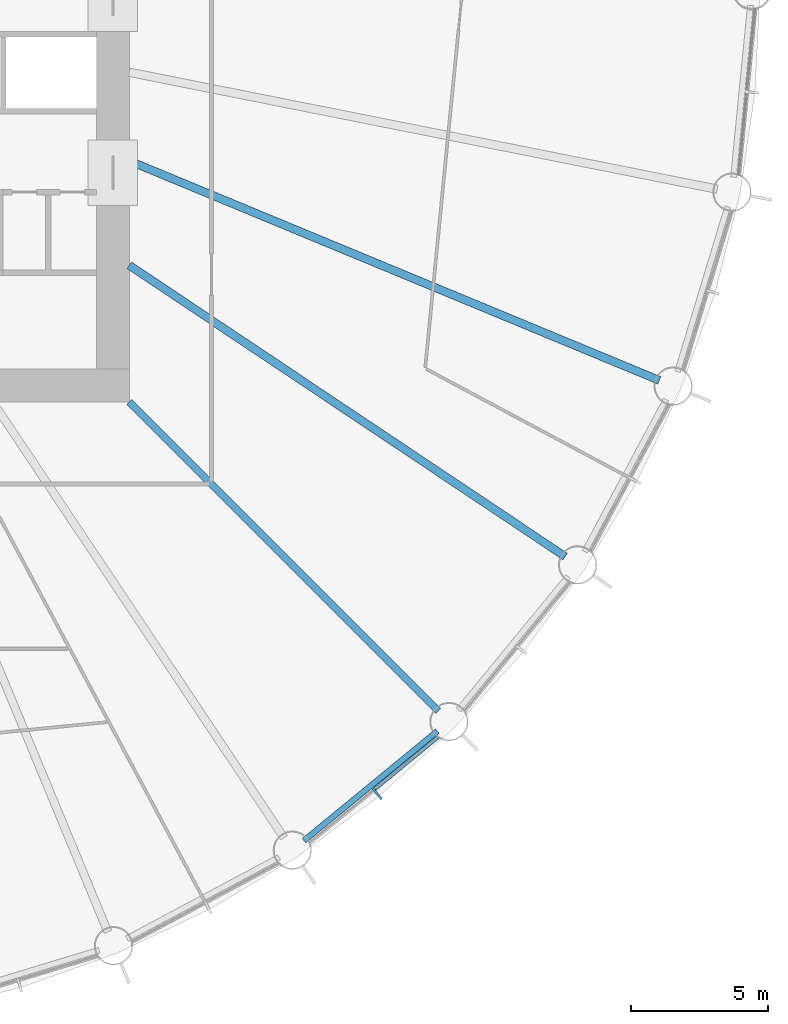
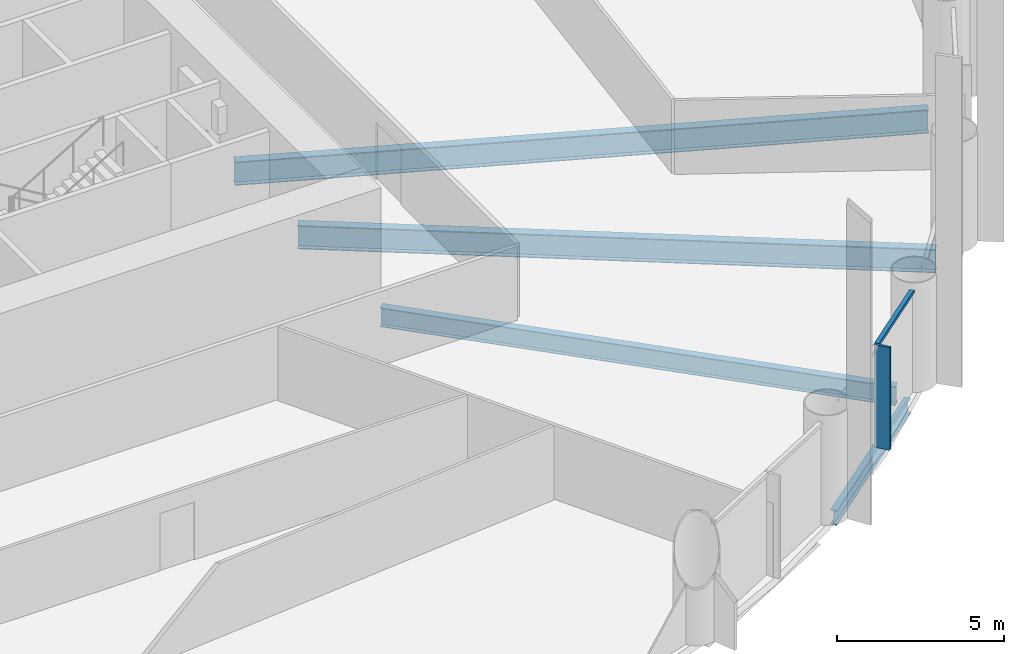
# One storey, part 3 of 14: 4 beams, 2 members, 1 element without a shape of its own.
"""IFC4 building model written with IfcOpenShell, lengths in metres."""

from ifc_helpers import new_model, si_unit, direction, frame, origin, origin_2d, place, context, subcontext, project, spatial, rectangle, i_section, extrude, material, material_profile, profile_set, type_object, element, aggregate, save


model = new_model("IFC4")

# Units and contexts
model_context = context("Model", 3, precision=1e-05, world=origin(), true_north=direction((0.0, 1.0)))
body_context = subcontext(model_context, "Body", "Model", "MODEL_VIEW")
ifc_project = project(units=[si_unit("LENGTHUNIT", "METRE"), si_unit("AREAUNIT", "SQUARE_METRE"), si_unit("VOLUMEUNIT", "CUBIC_METRE"), si_unit("PLANEANGLEUNIT", "RADIAN"), si_unit("MASSUNIT", "GRAM", prefix="KILO")], contexts=[model_context])

# Site, building, storey
site_placement = place(None, origin())
site = spatial("IfcSite", under=ifc_project, at=site_placement, CompositionType="ELEMENT")
building_placement = place(site_placement, origin())
building = spatial("IfcBuilding", under=site, at=building_placement, Name="Corvane Civic Tower", CompositionType="ELEMENT")
storey_placement = place(building_placement, frame((0.0, 0.0, 53.0)))
storey = spatial("IfcBuildingStorey", under=building, at=storey_placement, Name="L11", CompositionType="ELEMENT", Elevation=53.0)

# Beams
ifc_material_1 = material(Name="Steel ASTM A992 Gr 50", Category="steel")
ifc_material_profile_1 = material_profile(ifc_material_1, i_section(OverallWidth=0.209228515625, OverallDepth=0.533447265625, WebThickness=0.01025390625, FlangeThickness=0.015625, at=origin_2d()), Name="W21X62")
ifc_profile_set_1 = profile_set([ifc_material_profile_1], Name="Steel ASTM A992 Gr 50")
beam_type_1 = type_object("IfcBeamType", Name="EDGE BEAM W21X62", PredefinedType="BEAM", material=ifc_profile_set_1)
beam_1_placement = place(storey_placement, frame((26.23291015625, -27.0068359375, -0.566650390625), z_axis=(-0.773015785286, -0.634386787141, 0.0), x_axis=(0.634386787141, -0.773015785286, 0.0)))
element("IfcBeam", 1, at=beam_1_placement, inside=storey, type_object=beam_type_1, Name="BM-L11-E13", PredefinedType="BEAM", context=body_context, shape_type="SweptSolid", body=[
    extrude(i_section(OverallWidth=0.209228515625, OverallDepth=0.533447265625, WebThickness=0.01025390625, FlangeThickness=0.015625, at=origin_2d()), origin(), (0.0, 0.0, 1.0), 6.290771484375),
])
ifc_material_2 = material(Name="Steel ASTM A992 Gr 50", Category="steel")
ifc_material_profile_2 = material_profile(ifc_material_2, i_section(OverallWidth=0.256591796875, OverallDepth=0.693359375, WebThickness=0.014404296875, FlangeThickness=0.023681640625, at=origin_2d()), Name="W27X114")
ifc_profile_set_2 = profile_set([ifc_material_profile_2], Name="Steel ASTM A992 Gr 50")
beam_type_2 = type_object("IfcBeamType", Name="FLOOR GIRDER W27X114", PredefinedType="BEAM", material=ifc_profile_set_2)
beam_2_placement = place(storey_placement, frame((15.0, -15.0, -0.646728515625), z_axis=(0.707106781187, -0.707106781187, 0.0), x_axis=(0.707106781187, 0.707106781187, 0.0)))
element("IfcBeam", 2, at=beam_2_placement, inside=storey, type_object=beam_type_2, Name="BM-L11-G13", PredefinedType="BEAM", context=body_context, shape_type="SweptSolid", body=[
    extrude(i_section(OverallWidth=0.256591796875, OverallDepth=0.693359375, WebThickness=0.014404296875, FlangeThickness=0.023681640625, at=origin_2d()), origin(), (0.0, 0.0, 1.0), 15.936767578125),
])
ifc_material_3 = material(Name="Steel ASTM A992 Gr 50", Category="steel")
ifc_material_profile_3 = material_profile(ifc_material_3, i_section(OverallWidth=0.2919921875, OverallDepth=0.8583984375, WebThickness=0.01708984375, FlangeThickness=0.031005859375, at=origin_2d()), Name="W33X169")
ifc_profile_set_3 = profile_set([ifc_material_profile_3], Name="Steel ASTM A992 Gr 50")
beam_type_3 = type_object("IfcBeamType", Name="FLOOR GIRDER W33X169", PredefinedType="BEAM", material=ifc_profile_set_3)
beam_3_placement = place(storey_placement, frame((15.0, -6.213134765625, -0.729248046875), z_axis=(0.923875834355, -0.382692360381, 0.0), x_axis=(0.382692360381, 0.923875834355, 0.0)))
element("IfcBeam", 3, at=beam_3_placement, inside=storey, type_object=beam_type_3, Name="BM-L11-G11", PredefinedType="BEAM", context=body_context, shape_type="SweptSolid", body=[
    extrude(i_section(OverallWidth=0.2919921875, OverallDepth=0.8583984375, WebThickness=0.01708984375, FlangeThickness=0.031005859375, at=origin_2d()), origin(), (0.0, 0.0, 1.0), 20.9140625),
])
beam_4_placement = place(storey_placement, frame((15.0, -10.022705078125, -0.729248046875), z_axis=(0.831471985418, -0.555566681385, 0.0), x_axis=(0.555566681385, 0.831471985418, 0.0)))
element("IfcBeam", 4, at=beam_4_placement, inside=storey, type_object=beam_type_3, Name="BM-L11-G12", PredefinedType="BEAM", context=body_context, shape_type="SweptSolid", body=[
    extrude(i_section(OverallWidth=0.2919921875, OverallDepth=0.8583984375, WebThickness=0.01708984375, FlangeThickness=0.031005859375, at=origin_2d()), origin(), (0.0, 0.0, 1.0), 19.109619140625),
])

# Curtain wall, members
ifc_material_4 = material(Name="Anodised aluminium bronze", Category="aluminium")
curtain_wall_type = type_object("IfcCurtainWallType", Name="TOWER CW-T1 STICK CURTAIN WALL", PredefinedType="NOTDEFINED", material=ifc_material_4)
curtain_wall_placement = place(storey_placement, origin())
curtain_wall = element("IfcCurtainWall", 5, at=curtain_wall_placement, inside=storey, type_object=curtain_wall_type, Name="Curtain wall CW-T1 L11 bay 13", PredefinedType="NOTDEFINED")
ifc_material_5 = material(Name="Anodised aluminium bronze", Category="aluminium")
ifc_material_profile_4 = material_profile(ifc_material_5, rectangle(XDim=0.139892578125, YDim=0.1201171875, at=origin_2d()), Name="TOWER CW-T1 TRANSOM 140x120")
ifc_profile_set_4 = profile_set([ifc_material_profile_4], Name="Anodised aluminium bronze")
member_type_1 = type_object("IfcMemberType", Name="TOWER CW-T1 TRANSOM 140x120", PredefinedType="USERDEFINED", material=ifc_profile_set_4)
member_1_placement = place(storey_placement, frame((26.271728515625, -27.20654296875, 3.68994140625), z_axis=(-0.773001943873, -0.634403652865, 0.0), x_axis=(0.634403652865, -0.773001943873, 0.0)))
member_1 = element("IfcMember", 6, at=member_1_placement, type_object=member_type_1, Name="Transom CW-T1 L11 13.1", ObjectType="TRANSOM", PredefinedType="USERDEFINED", context=body_context, shape_type="SweptSolid", body=[
    extrude(rectangle(XDim=0.139892578125, YDim=0.1201171875, at=origin_2d()), origin(), (0.0, 0.0, 1.0), 3.008544921875),
])
ifc_material_6 = material(Name="Anodised aluminium bronze", Category="aluminium")
ifc_material_profile_5 = material_profile(ifc_material_6, rectangle(XDim=0.080078125, YDim=0.5, at=origin_2d()), Name="TOWER FIN MULLION 80x500 BRONZE")
ifc_profile_set_5 = profile_set([ifc_material_profile_5], Name="Anodised aluminium bronze")
member_type_2 = type_object("IfcMemberType", Name="TOWER FIN MULLION 80x500 BRONZE", PredefinedType="MULLION", material=ifc_profile_set_5)
member_2_placement = place(storey_placement, frame((24.0419921875, -29.295166015625, 0.0), z_axis=(0.0, 0.0, 1.0), x_axis=(-0.773007224463, -0.634397218569, 0.0)))
member_2 = element("IfcMember", 7, at=member_2_placement, type_object=member_type_2, Name="Fin mullion 13 L11", PredefinedType="MULLION", context=body_context, shape_type="SweptSolid", body=[
    extrude(rectangle(XDim=0.080078125, YDim=0.5, at=origin_2d()), origin(), (0.0, 0.0, 1.0), 3.75),
])
aggregate(curtain_wall, [member_2, member_1])

save(model, "model.ifc")
